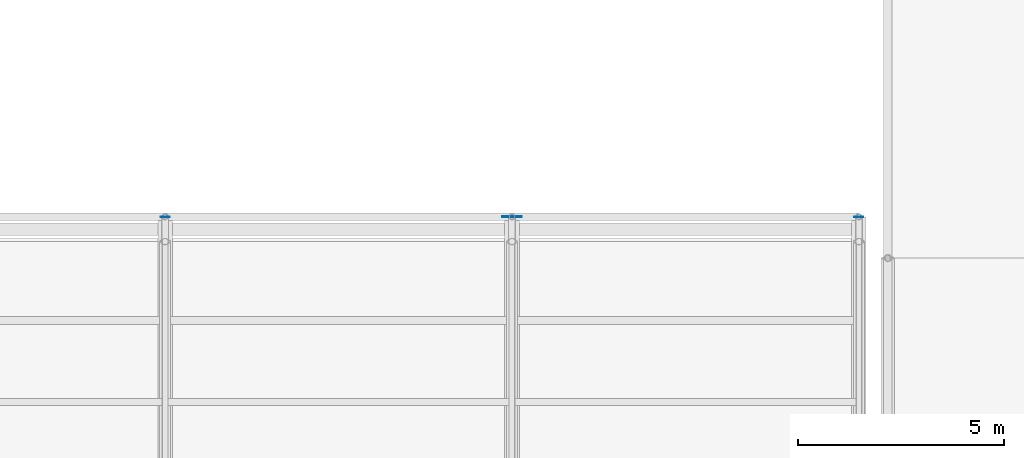
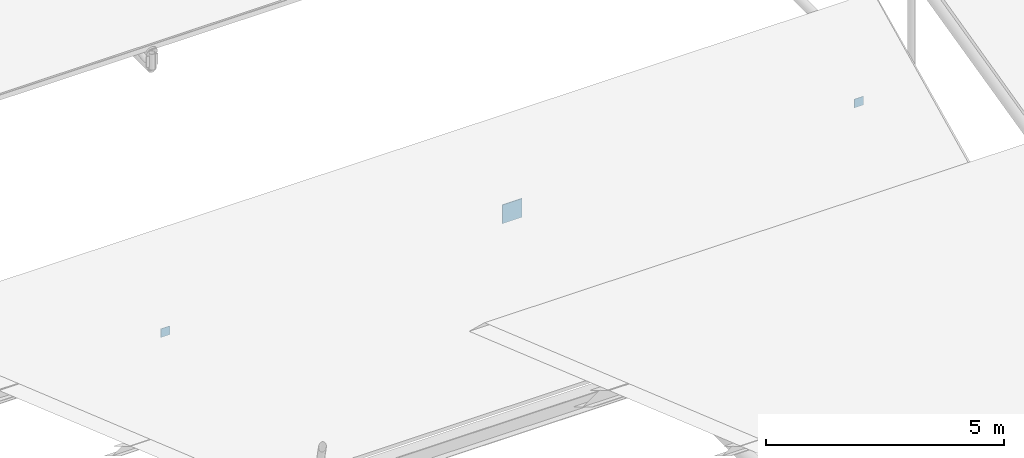
# One storey, part 175 of 194: 3 plates.
"""IFC4 building model written with IfcOpenShell, lengths in metres."""

from ifc_helpers import new_model, si_unit, direction, frame, origin, origin_2d, place, context, subcontext, project, spatial, rectangle, extrude, material, layer, layer_set, type_object, element, save


model = new_model("IFC4")

# Units and contexts
model_context = context("Model", 3, precision=1e-05, world=origin(), true_north=direction((0.0, 1.0)))
body_context = subcontext(model_context, "Body", "Model", "MODEL_VIEW")
ifc_project = project(units=[si_unit("LENGTHUNIT", "METRE"), si_unit("AREAUNIT", "SQUARE_METRE"), si_unit("VOLUMEUNIT", "CUBIC_METRE"), si_unit("PLANEANGLEUNIT", "RADIAN"), si_unit("MASSUNIT", "GRAM", prefix="KILO")], contexts=[model_context])

# Site, building, storey
site_placement = place(None, origin())
site = spatial("IfcSite", under=ifc_project, at=site_placement, CompositionType="ELEMENT")
building_placement = place(site_placement, origin())
building = spatial("IfcBuilding", under=site, at=building_placement, Name="Kazenagashi Tramway Depot", CompositionType="ELEMENT")
storey_placement = place(building_placement, frame((0.0, 0.0, 23.7)))
storey = spatial("IfcBuildingStorey", under=building, at=storey_placement, Name="ROOF", CompositionType="ELEMENT", Elevation=23.7)

# Plates
ifc_material_1 = material(Name="Steel STK490", Category="steel")
ifc_layer_1 = layer(ifc_material_1, 0.012)
ifc_layer_set_1 = layer_set([ifc_layer_1], Name="Steel STK490")
plate_type_1 = type_object("IfcPlateType", Name="EC-03", PredefinedType="USERDEFINED", material=ifc_layer_set_1)
for number, where, z_axis, x_axis, name in (
    (1, (128.8, 54.9, -8.86), (0.0, 0.0, 1.0), (1.0, 0.0, 0.0), "Structural Node Plate EC-03 PLT-0088"),
    (2, (145.6, 54.9, -8.86), (0.0, 0.0, 1.0), (1.0, 0.0, 0.0), "Structural Node Plate EC-03 PLT-0090"),
):
    element("IfcPlate", number, at=place(storey_placement, frame(where, z_axis=z_axis, x_axis=x_axis)), inside=storey, type_object=plate_type_1, Name=name, ObjectType="END CAP PLATE", PredefinedType="USERDEFINED", context=body_context, shape_type="SweptSolid", body=[
        extrude(rectangle(XDim=0.22, YDim=0.012, at=origin_2d()), origin(), (0.0, 0.0, 1.0), 0.22),
    ])
ifc_material_2 = material(Name="Steel SN490B", Category="steel")
ifc_layer_2 = layer(ifc_material_2, 0.019)
ifc_layer_set_2 = layer_set([ifc_layer_2], Name="Steel SN490B")
plate_type_2 = type_object("IfcPlateType", Name="GP-02", PredefinedType="USERDEFINED", material=ifc_layer_set_2)
plate_placement = place(storey_placement, frame((137.2, 54.9, -8.84), z_axis=(0.0, 0.0, 1.0), x_axis=(1.0, 0.0, 0.0)))
element("IfcPlate", 3, at=plate_placement, inside=storey, type_object=plate_type_2, Name="Structural Node Plate GP-02 PLT-0135", ObjectType="GUSSET PLATE", PredefinedType="USERDEFINED", context=body_context, shape_type="SweptSolid", body=[
    extrude(rectangle(XDim=0.48, YDim=0.019, at=origin_2d()), origin(), (0.0, 0.0, 1.0), 0.48),
])

save(model, "model.ifc")
